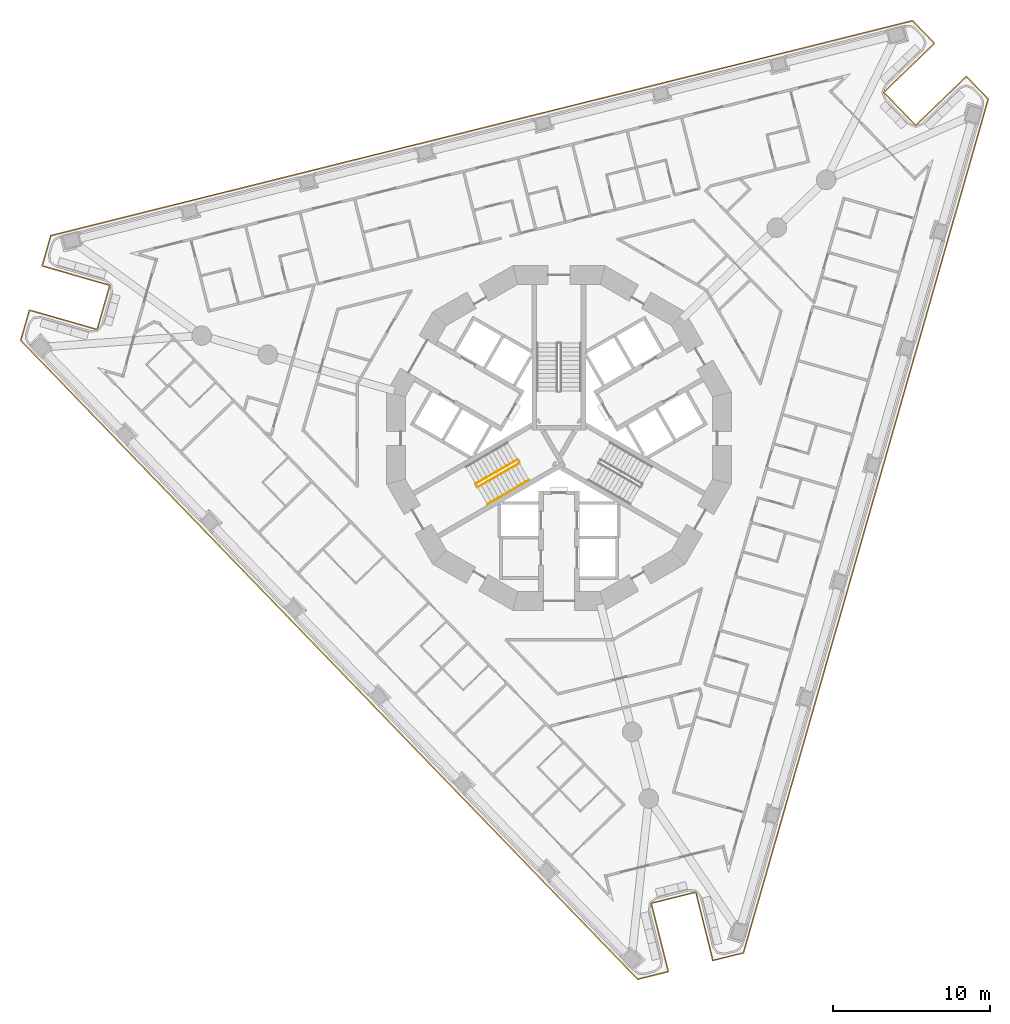
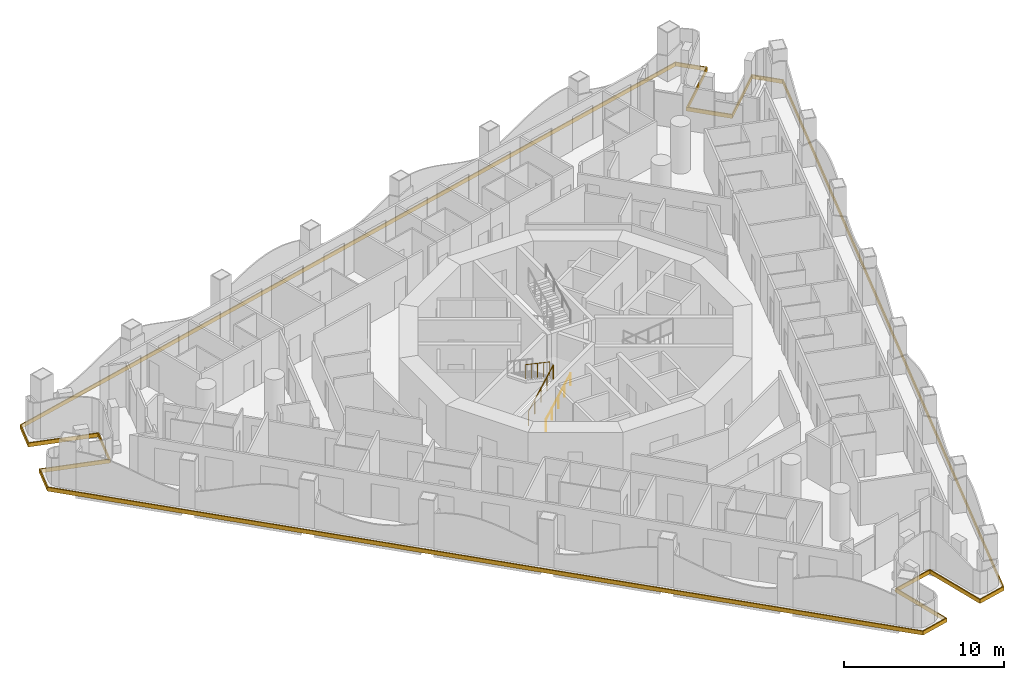
# One storey, part 13 of 19: 4 railings, 1 covering.
"""IFC4 building model written with IfcOpenShell, lengths in metres."""

import ifcopenshell
import ifcopenshell.guid

model = None  # the IFC model being written
_history = None  # IfcOwnerHistory: only IFC2X3 demands one
_inside = {}  # id of a spatial element -> (the spatial element, [elements in it])
_under = {}  # id of a project, library or spatial element -> (it, [spatial elements below it])
_declared = {}  # id of a project -> (the project, [libraries it declares])
_typed = {}  # id of a type object -> (the type object, [elements of that type])
_made_of = {}  # id of a material, layer set ... -> (it, [elements and type objects made of it])


def new_model(schema):
    """Start an empty IFC model of exactly this schema.

    Asked for "IFC4X3", IfcOpenShell would pick the latest addendum, in which some entities
    have other attributes; the version numbers below select the first issue.
    IFC2X3 requires an IfcOwnerHistory on every rooted entity: one is made here for all.
    """
    global model, _history
    if schema == "IFC4X3":
        model = ifcopenshell.file(schema_version=(4, 3, 0, 0))
    else:
        model = ifcopenshell.file(schema=schema)
    _inside.clear()
    _under.clear()
    _declared.clear()
    _typed.clear()
    _made_of.clear()
    _history = None
    if model.schema == "IFC2X3":
        org = make("IfcOrganization", Name="unknown")
        user = make(
            "IfcPersonAndOrganization",
            ThePerson=make("IfcPerson", FamilyName="unknown"),
            TheOrganization=org,
        )
        app = make(
            "IfcApplication",
            ApplicationDeveloper=org,
            Version="unknown",
            ApplicationFullName="unknown",
            ApplicationIdentifier="unknown",
        )
        _history = make(
            "IfcOwnerHistory",
            OwningUser=user,
            OwningApplication=app,
            ChangeAction="ADDED",
            CreationDate=0,
        )
    return model


def make(cls, **values):
    """One entity of the class cls with the attributes given. An attribute that is None is left unset."""
    return model.create_entity(
        cls, **{name: value for name, value in values.items() if value is not None}
    )


def rooted(cls, **values):
    """An entity with a GlobalId (a new one), such as an element, a storey or a relation."""
    return make(cls, GlobalId=ifcopenshell.guid.new(), OwnerHistory=_history, **values)


def si_unit(unit_type, name, prefix=None):
    """IfcSIUnit, for example si_unit("LENGTHUNIT", "METRE", prefix="MILLI")."""
    return make("IfcSIUnit", UnitType=unit_type, Prefix=prefix, Name=name)


def assignment(units):
    """IfcUnitAssignment: the units of a project."""
    return None if units is None else make("IfcUnitAssignment", Units=units)


def point(xyz):
    """IfcCartesianPoint."""
    return None if xyz is None else make("IfcCartesianPoint", Coordinates=xyz)


def direction(xyz):
    """IfcDirection."""
    return None if xyz is None else make("IfcDirection", DirectionRatios=xyz)


def frame(location, z_axis=None, x_axis=None):
    """IfcAxis2Placement3D, a coordinate frame: its origin and axes. An axis left out is left unset."""
    return make(
        "IfcAxis2Placement3D",
        Location=point(location),
        Axis=direction(z_axis),
        RefDirection=direction(x_axis),
    )


def frame_2d(location, x_axis=None):
    """IfcAxis2Placement2D, a coordinate frame in the plane: its origin and x axis."""
    return make(
        "IfcAxis2Placement2D", Location=point(location), RefDirection=direction(x_axis)
    )


def origin():
    """The frame at (0, 0, 0) with its axes left unset."""
    return frame((0.0, 0.0, 0.0))


def origin_2d():
    """The frame at (0, 0) in the plane with its x axis left unset."""
    return frame_2d((0.0, 0.0))


def place(relative_to, where):
    """IfcLocalPlacement: puts the frame where relative to a parent placement (None: the world)."""
    return make(
        "IfcLocalPlacement", PlacementRelTo=relative_to, RelativePlacement=where
    )


def context(
    kind, dimensions, precision=None, world=None, true_north=None, identifier=None
):
    """IfcGeometricRepresentationContext, for example the 3D "Model" context."""
    return make(
        "IfcGeometricRepresentationContext",
        ContextIdentifier=identifier,
        ContextType=kind,
        CoordinateSpaceDimension=dimensions,
        Precision=precision,
        WorldCoordinateSystem=world,
        TrueNorth=true_north,
    )


def subcontext(parent, identifier, kind, view, scale=None):
    """IfcGeometricRepresentationSubContext, for example "Body" below "Model"."""
    return make(
        "IfcGeometricRepresentationSubContext",
        ContextIdentifier=identifier,
        ContextType=kind,
        ParentContext=parent,
        TargetScale=scale,
        TargetView=view,
    )


def project(units=None, contexts=None):
    """IfcProject with its units and contexts."""
    return rooted(
        "IfcProject",
        Name="project",
        RepresentationContexts=contexts,
        UnitsInContext=assignment(units),
    )


def spatial(cls, under=None, at=None, **own):
    """A site, building, storey or space (cls), placed at a placement, below another one or the project."""
    s = rooted(cls, ObjectPlacement=at, **own)
    if under is not None:
        _under.setdefault(under.id(), (under, []))[1].append(s)
    return s


def polyline(points):
    """IfcPolyline through the points."""
    return make("IfcPolyline", Points=[point(p) for p in points])


def profile(cls, at=None, kind="AREA", **sizes):
    """A parametric profile (cls). Its sizes go by their IFC names, for example OverallWidth=200.0."""
    return make(cls, ProfileType=kind, Position=at, **sizes)


def circle(**sizes):
    """IfcCircleProfileDef."""
    return profile("IfcCircleProfileDef", **sizes)


def outline(outer, holes=None, kind="AREA"):
    """IfcArbitraryClosedProfileDef: a profile drawn as a closed curve; with holes, ...WithVoids."""
    if holes is None:
        return make("IfcArbitraryClosedProfileDef", ProfileType=kind, OuterCurve=outer)
    return make(
        "IfcArbitraryProfileDefWithVoids",
        ProfileType=kind,
        OuterCurve=outer,
        InnerCurves=holes,
    )


def extrude(swept, where, along, depth):
    """IfcExtrudedAreaSolid: the profile swept, set in the frame where, extruded along a direction by depth."""
    return make(
        "IfcExtrudedAreaSolid",
        SweptArea=swept,
        Position=where,
        ExtrudedDirection=direction(along),
        Depth=depth,
    )


def shape(context_of_items, identifier, shape_type, items):
    """IfcShapeRepresentation: the items that make up one representation, for example the "Body"."""
    return make(
        "IfcShapeRepresentation",
        ContextOfItems=context_of_items,
        RepresentationIdentifier=identifier,
        RepresentationType=shape_type,
        Items=items,
    )


def material(Name=None, Category=None):
    """IfcMaterial."""
    return make("IfcMaterial", Name=Name, Category=Category)


def layer(
    of_material, thickness, ventilated=None, Name=None, Category=None, Priority=None
):
    """IfcMaterialLayer: one layer of a wall or slab, of a material (None: an air gap)."""
    return make(
        "IfcMaterialLayer",
        Material=of_material,
        LayerThickness=thickness,
        IsVentilated=ventilated,
        Name=Name,
        Category=Category,
        Priority=Priority,
    )


def layer_set(layers, Name=None):
    """IfcMaterialLayerSet."""
    return make("IfcMaterialLayerSet", MaterialLayers=layers, LayerSetName=Name)


def made_of(thing, what):
    """Note that an element or type object is made of a material, layer set ...; save() writes the relation."""
    if what is not None:
        _made_of.setdefault(what.id(), (what, []))[1].append(thing)
    return thing


def type_object(cls, material=None, **own):
    """A type object (cls), such as IfcWallType, which elements share."""
    return made_of(rooted(cls, **own), material)


def element(
    cls,
    number,
    at=None,
    inside=None,
    cuts=None,
    type_object=None,
    material=None,
    context=None,
    identifier="Body",
    shape_type=None,
    held_by="IfcProductDefinitionShape",
    body=None,
    shapes=None,
    **own,
):
    """One element of the class cls, such as IfcWall. Its Tag is "e" and its number.

    at: its placement. inside: the storey or other place that contains it. cuts: it is an
    opening in that element (IfcRelVoidsElement). A single representation is given by context,
    identifier, shape_type and body (its items); several are given by shapes. held_by: the class
    of the entity that holds the representations. save() writes the other relations.
    """
    e = rooted(cls, Tag="e%d" % number, ObjectPlacement=at, **own)
    if body is not None:
        shapes = [shape(context, identifier, shape_type, body)]
    if shapes is not None:
        e.Representation = make(held_by, Representations=shapes)
    if inside is not None:
        _inside.setdefault(inside.id(), (inside, []))[1].append(e)
    if cuts is not None:
        rooted(
            "IfcRelVoidsElement", RelatingBuildingElement=cuts, RelatedOpeningElement=e
        )
    if type_object is not None:
        _typed.setdefault(type_object.id(), (type_object, []))[1].append(e)
    return made_of(e, material)


def aggregate(whole, parts):
    """IfcRelAggregates: a whole, such as a stair, and the parts it consists of."""
    return rooted("IfcRelAggregates", RelatingObject=whole, RelatedObjects=parts)


def save(model, path):
    """Write the relations noted so far, then the file.

    IfcRelAggregates (storeys below a building ...), IfcRelContainedInSpatialStructure (elements
    in a storey), IfcRelDefinesByType, IfcRelAssociatesMaterial and IfcRelDeclares: one each for
    every whole, place, type object, material and project.
    """
    for whole, parts in _under.values():
        aggregate(whole, parts)
    for where, things in _inside.values():
        rooted(
            "IfcRelContainedInSpatialStructure",
            RelatedElements=things,
            RelatingStructure=where,
        )
    for kind, things in _typed.values():
        rooted("IfcRelDefinesByType", RelatedObjects=things, RelatingType=kind)
    for what, things in _made_of.values():
        rooted("IfcRelAssociatesMaterial", RelatedObjects=things, RelatingMaterial=what)
    for by, libraries in _declared.values():
        rooted("IfcRelDeclares", RelatingContext=by, RelatedDefinitions=libraries)
    model.write(path)


model = new_model("IFC4")

# Units and contexts
model_context = context("Model", 3, precision=1e-05, world=origin(), true_north=direction((0.0, 1.0)))
body_context = subcontext(model_context, "Body", "Model", "MODEL_VIEW")
ifc_project = project(units=[si_unit("LENGTHUNIT", "METRE"), si_unit("AREAUNIT", "SQUARE_METRE"), si_unit("VOLUMEUNIT", "CUBIC_METRE"), si_unit("PLANEANGLEUNIT", "RADIAN"), si_unit("MASSUNIT", "GRAM", prefix="KILO")], contexts=[model_context])

# Site, building, storey
site_placement = place(None, origin())
site = spatial("IfcSite", under=ifc_project, at=site_placement, CompositionType="ELEMENT")
building_placement = place(site_placement, origin())
building = spatial("IfcBuilding", under=site, at=building_placement, Name="Trine Commons Tower", CompositionType="ELEMENT")
storey_placement = place(building_placement, frame((0.0, 0.0, 105.300048828125)))
storey = spatial("IfcBuildingStorey", under=building, at=storey_placement, Name="L26", CompositionType="ELEMENT", Elevation=105.300048828125)

# Covering
ifc_material_1 = material(Name="Limestone, honed", Category="masonry")
ifc_layer = layer(ifc_material_1, 0.074951171875)
ifc_layer_set = layer_set([ifc_layer], Name="Limestone, honed")
covering_type = type_object("IfcCoveringType", Name="Limestone spandrel panel 75", PredefinedType="CLADDING", material=ifc_layer_set)
covering_placement = place(storey_placement, frame((0.0, 0.0, -0.300048828125)))
element("IfcCovering", 1, at=covering_placement, inside=storey, type_object=covering_type, Name="Limestone spandrel panel 3-01", PredefinedType="CLADDING", context=body_context, shape_type="SweptSolid", body=[
    extrude(outline(polyline([(88.716064453125, 33.432373046875), (89.8046875, 29.06591796875), (91.8251953125, 29.56982421875), (107.478759765625, 84.159912109375), (106.031982421875, 85.657958984375), (102.795166015625, 82.531982421875), (100.815185546875, 84.58203125), (104.052490234375, 87.7080078125), (102.605712890625, 89.2060546875), (47.50244140625, 75.46728515625), (46.928466796875, 73.465576171875), (51.254150390625, 72.22509765625), (50.468505859375, 69.485595703125), (46.14306640625, 70.725830078125), (45.569091796875, 68.72412109375), (85.018798828125, 27.872802734375), (87.039306640625, 28.37646484375), (85.95068359375, 32.742919921875), (88.716064453125, 33.432373046875)]), holes=[polyline([(106.0302734375, 85.552001953125), (107.394775390625, 84.13916015625), (91.764892578125, 29.632080078125), (89.859375, 29.156982421875), (88.7705078125, 33.523193359375), (85.85986328125, 32.797607421875), (86.948486328125, 28.43115234375), (85.04248046875, 27.9560546875), (45.653076171875, 68.7451171875), (46.1943359375, 70.63330078125), (50.52001953125, 69.392822265625), (51.346923828125, 72.276611328125), (47.021240234375, 73.516845703125), (47.562744140625, 75.405029296875), (102.581787109375, 89.122802734375), (103.9462890625, 87.7099609375), (100.709228515625, 84.583984375), (102.793212890625, 82.426025390625), (106.0302734375, 85.552001953125)])]), origin(), (0.0, 0.0, 1.0), 0.300048828125),
])

# Railings
ifc_material_2 = material(Name="Stainless steel balustrade", Category="steel")
railing_type_1 = type_object("IfcRailingType", Name="Stair guard, steel balustrade 1100", PredefinedType="GUARDRAIL", material=ifc_material_2)
railing_1_placement = place(storey_placement, frame((74.80517578125, 59.3564453125, 0.14990234375)))
element("IfcRailing", 2, at=railing_1_placement, inside=storey, type_object=railing_type_1, Name="L26 ST2A stair guard 1", PredefinedType="GUARDRAIL", context=body_context, shape_type="SweptSolid", body=[
    extrude(circle(Radius=0.02392578125, at=origin_2d()), frame((0.0, 0.0, 1.076171875), z_axis=(0.763379768245, 0.440728498818, 0.472239049384), x_axis=(-0.499992328818, 0.866029832698, 0.0)), (0.0, 0.0, 1.0), 3.494384765625),
    extrude(circle(Radius=0.02099609375, at=origin_2d()), origin(), (0.0, 0.0, 1.0), 1.052001953125),
    extrude(circle(Radius=0.02099609375, at=origin_2d()), frame((0.6669921875, 0.385009765625, 0.41259765625)), (0.0, 0.0, 1.0), 1.052001953125),
    extrude(circle(Radius=0.02099609375, at=origin_2d()), frame((1.333740234375, 0.77001953125, 0.8251953125)), (0.0, 0.0, 1.0), 1.052001953125),
    extrude(circle(Radius=0.02099609375, at=origin_2d()), frame((2.00048828125, 1.155029296875, 1.237548828125)), (0.0, 0.0, 1.0), 1.052001953125),
    extrude(circle(Radius=0.02099609375, at=origin_2d()), frame((2.66748046875, 1.5400390625, 1.650146484375)), (0.0, 0.0, 1.0), 1.052001953125),
])
railing_2_placement = place(storey_placement, frame((77.34765625, 61.113037109375, 1.949951171875)))
element("IfcRailing", 3, at=railing_2_placement, inside=storey, type_object=railing_type_1, Name="L26 ST2A stair guard 3", PredefinedType="GUARDRAIL", context=body_context, shape_type="SweptSolid", body=[
    extrude(circle(Radius=0.02392578125, at=origin_2d()), frame((0.0, 0.0, 1.076171875), z_axis=(-0.76340495495, -0.440743040072, 0.472184759798), x_axis=(0.499992328818, -0.866029832698, 0.0)), (0.0, 0.0, 1.0), 3.494140625),
    extrude(circle(Radius=0.02099609375, at=origin_2d()), origin(), (0.0, 0.0, 1.0), 1.052001953125),
    extrude(circle(Radius=0.02099609375, at=origin_2d()), frame((-0.6669921875, -0.385009765625, 0.41259765625)), (0.0, 0.0, 1.0), 1.052001953125),
    extrude(circle(Radius=0.02099609375, at=origin_2d()), frame((-1.333740234375, -0.77001953125, 0.824951171875)), (0.0, 0.0, 1.0), 1.052001953125),
    extrude(circle(Radius=0.02099609375, at=origin_2d()), frame((-2.00048828125, -1.155029296875, 1.2373046875)), (0.0, 0.0, 1.0), 1.052001953125),
    extrude(circle(Radius=0.02099609375, at=origin_2d()), frame((-2.66748046875, -1.5400390625, 1.64990234375)), (0.0, 0.0, 1.0), 1.052001953125),
])
ifc_material_3 = material(Name="Stainless steel handrail", Category="steel")
railing_type_2 = type_object("IfcRailingType", Name="Stair handrail, steel 900", PredefinedType="HANDRAIL", material=ifc_material_3)
railing_3_placement = place(storey_placement, frame((75.43017578125, 58.27392578125, 0.14990234375)))
element("IfcRailing", 4, at=railing_3_placement, inside=storey, type_object=railing_type_2, Name="L26 ST2A stair handrail 1", PredefinedType="HANDRAIL", context=body_context, shape_type="SweptSolid", body=[
    extrude(circle(Radius=0.02099609375, at=origin_2d()), frame((0.0, 0.0, 0.87890625), z_axis=(0.76340495495, 0.440743040072, 0.472184759798), x_axis=(-0.499992328818, 0.866029832698, 0.0)), (0.0, 0.0, 1.0), 1.7470703125),
    extrude(circle(Radius=0.01513671875, at=origin_2d()), origin(), (0.0, 0.0, 1.0), 0.85791015625),
    extrude(circle(Radius=0.01513671875, at=origin_2d()), frame((0.6669921875, 0.385009765625, 0.41259765625)), (0.0, 0.0, 1.0), 0.85791015625),
    extrude(circle(Radius=0.01513671875, at=origin_2d()), frame((1.333740234375, 0.77001953125, 0.824951171875)), (0.0, 0.0, 1.0), 0.85791015625),
])
railing_4_placement = place(storey_placement, frame((76.763916015625, 59.0439453125, 0.974853515625)))
element("IfcRailing", 5, at=railing_4_placement, inside=storey, type_object=railing_type_2, Name="L26 ST2A stair handrail 2", PredefinedType="HANDRAIL", context=body_context, shape_type="SweptSolid", body=[
    extrude(circle(Radius=0.02099609375, at=origin_2d()), frame((0.0, 0.0, 0.87890625), z_axis=(0.763354580307, 0.440713956853, 0.472293333596), x_axis=(-0.499992328818, 0.866029832698, 0.0)), (0.0, 0.0, 1.0), 1.747314453125),
    extrude(circle(Radius=0.01513671875, at=origin_2d()), origin(), (0.0, 0.0, 1.0), 0.85791015625),
    extrude(circle(Radius=0.01513671875, at=origin_2d()), frame((0.6669921875, 0.385009765625, 0.41259765625)), (0.0, 0.0, 1.0), 0.85791015625),
    extrude(circle(Radius=0.01513671875, at=origin_2d()), frame((1.333740234375, 0.77001953125, 0.8251953125)), (0.0, 0.0, 1.0), 0.85791015625),
])

save(model, "model.ifc")
